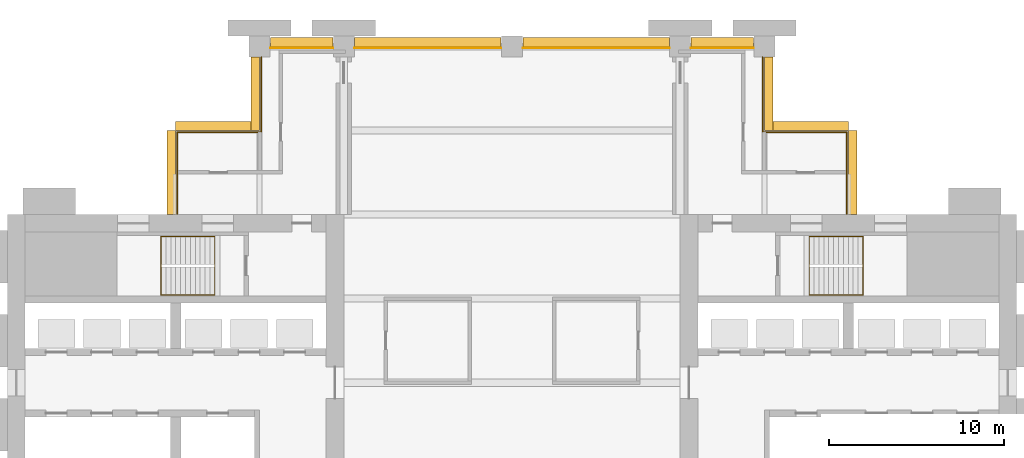
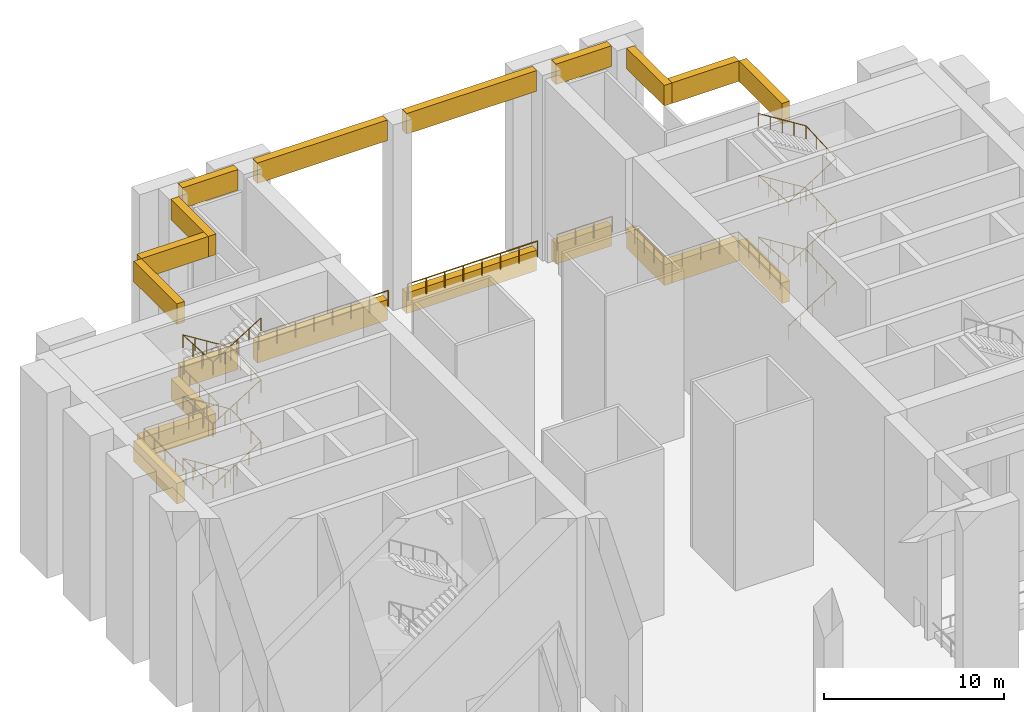
# One storey, part 8 of 9: 20 coverings, 8 railings.
"""IFC4 building model written with IfcOpenShell, lengths in metres."""

from ifc_helpers import new_model, si_unit, direction, frame, origin, origin_2d, place, context, subcontext, project, spatial, polyline, circle, outline, extrude, material, type_object, element, save


model = new_model("IFC4")

# Units and contexts
model_context = context("Model", 3, precision=1e-05, world=origin(), true_north=direction((0.0, 1.0)))
body_context = subcontext(model_context, "Body", "Model", "MODEL_VIEW")
ifc_project = project(units=[si_unit("LENGTHUNIT", "METRE"), si_unit("AREAUNIT", "SQUARE_METRE"), si_unit("VOLUMEUNIT", "CUBIC_METRE"), si_unit("PLANEANGLEUNIT", "RADIAN"), si_unit("MASSUNIT", "GRAM", prefix="KILO")], contexts=[model_context])

# Site, building, storey
site_placement = place(None, origin())
site = spatial("IfcSite", under=ifc_project, at=site_placement, CompositionType="ELEMENT")
building_placement = place(site_placement, origin())
building = spatial("IfcBuilding", under=site, at=building_placement, Name="Baori Bourse Tower", CompositionType="ELEMENT")
storey_placement = place(building_placement, frame((0.0, 0.0, 180.60009765625)))
storey = spatial("IfcBuildingStorey", under=building, at=storey_placement, Name="L40", CompositionType="ELEMENT", Elevation=180.60009765625)

# Railings
ifc_material_1 = material(Name="Powder-coated steel balustrade", Category="steel")
railing_type_1 = type_object("IfcRailingType", Name="Core stair handrail", PredefinedType="HANDRAIL", material=ifc_material_1)
railing_1_placement = place(storey_placement, frame((11.85009765625, 37.14990234375, 0.1748046875)))
element("IfcRailing", 1, at=railing_1_placement, inside=storey, type_object=railing_type_1, Name="L40 ST2 stair handrail 1", PredefinedType="HANDRAIL", context=body_context, shape_type="SweptSolid", body=[
    extrude(circle(Radius=0.02392578125, at=origin_2d()), frame((0.0, 0.0, 0.8759765625), z_axis=(-0.847998304005, 0.0, 0.529998940003), x_axis=(0.0, -1.0, 0.0)), (0.0, 0.0, 1.0), 3.632080078125),
    extrude(circle(Radius=0.02392578125, at=origin_2d()), frame((-3.080078125, 0.0, 2.80078125), z_axis=(0.0, -0.99863746249, 0.052184466191), x_axis=(1.0, 0.0, 0.0)), (0.0, 0.0, 1.0), 3.3544921875),
    extrude(circle(Radius=0.02392578125, at=origin_2d()), frame((-3.080078125, -3.349853515625, 2.97607421875), z_axis=(0.847998304005, 0.0, 0.529998940003), x_axis=(0.0, 1.0, 0.0)), (0.0, 0.0, 1.0), 3.632080078125),
    extrude(circle(Radius=0.02392578125, at=origin_2d()), frame((0.0, -3.349853515625, 4.90087890625), z_axis=(0.0, 0.99863746249, 0.052184466191), x_axis=(-1.0, 0.0, 0.0)), (0.0, 0.0, 1.0), 3.3544921875),
    extrude(circle(Radius=0.02392578125, at=origin_2d()), frame((0.0, 0.0, 5.076171875), z_axis=(-0.848028513186, 0.0, 0.529950602248), x_axis=(0.0, -1.0, 0.0)), (0.0, 0.0, 1.0), 3.632080078125),
    extrude(circle(Radius=0.02392578125, at=origin_2d()), frame((-3.080078125, 0.0, 7.0009765625), z_axis=(0.0, -0.99863746249, 0.052184466191), x_axis=(1.0, 0.0, 0.0)), (0.0, 0.0, 1.0), 3.3544921875),
    extrude(circle(Radius=0.02392578125, at=origin_2d()), frame((-3.080078125, -3.349853515625, 7.17578125), z_axis=(0.847998304005, 0.0, 0.529998940003), x_axis=(0.0, 1.0, 0.0)), (0.0, 0.0, 1.0), 3.632080078125),
    extrude(circle(Radius=0.02392578125, at=origin_2d()), frame((0.0, -3.349853515625, 9.10107421875), z_axis=(0.0, 0.99863746249, 0.052184466191), x_axis=(-1.0, 0.0, 0.0)), (0.0, 0.0, 1.0), 3.3544921875),
    extrude(circle(Radius=0.02392578125, at=origin_2d()), frame((0.0, 0.0, 9.27587890625), z_axis=(-0.847998304005, 0.0, 0.529998940003), x_axis=(0.0, -1.0, 0.0)), (0.0, 0.0, 1.0), 3.632080078125),
    extrude(circle(Radius=0.02392578125, at=origin_2d()), frame((-3.080078125, 0.0, 11.201171875), z_axis=(0.0, -0.998641252765, 0.052111882296), x_axis=(1.0, 0.0, 0.0)), (0.0, 0.0, 1.0), 3.3544921875),
    extrude(circle(Radius=0.02392578125, at=origin_2d()), frame((-3.080078125, -3.349853515625, 11.3759765625), z_axis=(0.847998304005, 0.0, 0.529998940003), x_axis=(0.0, 1.0, 0.0)), (0.0, 0.0, 1.0), 3.632080078125),
    extrude(circle(Radius=0.02099609375, at=origin_2d()), origin(), (0.0, 0.0, 1.0), 0.851806640625),
    extrude(circle(Radius=0.02099609375, at=origin_2d()), frame((-0.77001953125, 0.0, 0.481201171875)), (0.0, 0.0, 1.0), 0.851806640625),
    extrude(circle(Radius=0.02099609375, at=origin_2d()), frame((-1.5400390625, 0.0, 0.96240234375)), (0.0, 0.0, 1.0), 0.851806640625),
    extrude(circle(Radius=0.02099609375, at=origin_2d()), frame((-2.31005859375, 0.0, 1.44384765625)), (0.0, 0.0, 1.0), 0.851806640625),
    extrude(circle(Radius=0.02099609375, at=origin_2d()), frame((-3.080078125, 0.0, 1.925048828125)), (0.0, 0.0, 1.0), 0.851806640625),
    extrude(circle(Radius=0.02099609375, at=origin_2d()), frame((-3.080078125, -1.11669921875, 1.9833984375)), (0.0, 0.0, 1.0), 0.851806640625),
    extrude(circle(Radius=0.02099609375, at=origin_2d()), frame((-3.080078125, -2.233154296875, 2.041748046875)), (0.0, 0.0, 1.0), 0.851806640625),
    extrude(circle(Radius=0.02099609375, at=origin_2d()), frame((-3.080078125, -3.349853515625, 2.10009765625)), (0.0, 0.0, 1.0), 0.851806640625),
    extrude(circle(Radius=0.02099609375, at=origin_2d()), frame((-2.31005859375, -3.349853515625, 2.581298828125)), (0.0, 0.0, 1.0), 0.851806640625),
    extrude(circle(Radius=0.02099609375, at=origin_2d()), frame((-1.5400390625, -3.349853515625, 3.0625)), (0.0, 0.0, 1.0), 0.851806640625),
    extrude(circle(Radius=0.02099609375, at=origin_2d()), frame((-0.77001953125, -3.349853515625, 3.5439453125)), (0.0, 0.0, 1.0), 0.851806640625),
    extrude(circle(Radius=0.02099609375, at=origin_2d()), frame((0.0, -3.349853515625, 4.025146484375)), (0.0, 0.0, 1.0), 0.851806640625),
    extrude(circle(Radius=0.02099609375, at=origin_2d()), frame((0.0, -2.233154296875, 4.08349609375)), (0.0, 0.0, 1.0), 0.851806640625),
    extrude(circle(Radius=0.02099609375, at=origin_2d()), frame((0.0, -1.11669921875, 4.141845703125)), (0.0, 0.0, 1.0), 0.851806640625),
    extrude(circle(Radius=0.02099609375, at=origin_2d()), frame((0.0, 0.0, 4.2001953125)), (0.0, 0.0, 1.0), 0.851806640625),
    extrude(circle(Radius=0.02099609375, at=origin_2d()), frame((-0.77001953125, 0.0, 4.681396484375)), (0.0, 0.0, 1.0), 0.851806640625),
    extrude(circle(Radius=0.02099609375, at=origin_2d()), frame((-1.5400390625, 0.0, 5.16259765625)), (0.0, 0.0, 1.0), 0.851806640625),
    extrude(circle(Radius=0.02099609375, at=origin_2d()), frame((-2.31005859375, 0.0, 5.643798828125)), (0.0, 0.0, 1.0), 0.851806640625),
    extrude(circle(Radius=0.02099609375, at=origin_2d()), frame((-3.080078125, 0.0, 6.125)), (0.0, 0.0, 1.0), 0.851806640625),
    extrude(circle(Radius=0.02099609375, at=origin_2d()), frame((-3.080078125, -1.11669921875, 6.183349609375)), (0.0, 0.0, 1.0), 0.851806640625),
    extrude(circle(Radius=0.02099609375, at=origin_2d()), frame((-3.080078125, -2.233154296875, 6.24169921875)), (0.0, 0.0, 1.0), 0.851806640625),
    extrude(circle(Radius=0.02099609375, at=origin_2d()), frame((-3.080078125, -3.349853515625, 6.300048828125)), (0.0, 0.0, 1.0), 0.851806640625),
    extrude(circle(Radius=0.02099609375, at=origin_2d()), frame((-2.31005859375, -3.349853515625, 6.78125)), (0.0, 0.0, 1.0), 0.851806640625),
    extrude(circle(Radius=0.02099609375, at=origin_2d()), frame((-1.5400390625, -3.349853515625, 7.2626953125)), (0.0, 0.0, 1.0), 0.851806640625),
    extrude(circle(Radius=0.02099609375, at=origin_2d()), frame((-0.77001953125, -3.349853515625, 7.743896484375)), (0.0, 0.0, 1.0), 0.851806640625),
    extrude(circle(Radius=0.02099609375, at=origin_2d()), frame((0.0, -3.349853515625, 8.22509765625)), (0.0, 0.0, 1.0), 0.851806640625),
    extrude(circle(Radius=0.02099609375, at=origin_2d()), frame((0.0, -2.233154296875, 8.283447265625)), (0.0, 0.0, 1.0), 0.851806640625),
    extrude(circle(Radius=0.02099609375, at=origin_2d()), frame((0.0, -1.11669921875, 8.341796875)), (0.0, 0.0, 1.0), 0.851806640625),
    extrude(circle(Radius=0.02099609375, at=origin_2d()), frame((0.0, 0.0, 8.400146484375)), (0.0, 0.0, 1.0), 0.851806640625),
    extrude(circle(Radius=0.02099609375, at=origin_2d()), frame((-0.77001953125, 0.0, 8.88134765625)), (0.0, 0.0, 1.0), 0.851806640625),
    extrude(circle(Radius=0.02099609375, at=origin_2d()), frame((-1.5400390625, 0.0, 9.36279296875)), (0.0, 0.0, 1.0), 0.851806640625),
    extrude(circle(Radius=0.02099609375, at=origin_2d()), frame((-2.31005859375, 0.0, 9.843994140625)), (0.0, 0.0, 1.0), 0.851806640625),
    extrude(circle(Radius=0.02099609375, at=origin_2d()), frame((-3.080078125, 0.0, 10.3251953125)), (0.0, 0.0, 1.0), 0.851806640625),
    extrude(circle(Radius=0.02099609375, at=origin_2d()), frame((-3.080078125, -1.11669921875, 10.383544921875)), (0.0, 0.0, 1.0), 0.851806640625),
    extrude(circle(Radius=0.02099609375, at=origin_2d()), frame((-3.080078125, -2.233154296875, 10.441650390625)), (0.0, 0.0, 1.0), 0.851806640625),
    extrude(circle(Radius=0.02099609375, at=origin_2d()), frame((-3.080078125, -3.349853515625, 10.5)), (0.0, 0.0, 1.0), 0.851806640625),
    extrude(circle(Radius=0.02099609375, at=origin_2d()), frame((-2.31005859375, -3.349853515625, 10.981201171875)), (0.0, 0.0, 1.0), 0.851806640625),
    extrude(circle(Radius=0.02099609375, at=origin_2d()), frame((-1.5400390625, -3.349853515625, 11.46240234375)), (0.0, 0.0, 1.0), 0.851806640625),
    extrude(circle(Radius=0.02099609375, at=origin_2d()), frame((-0.77001953125, -3.349853515625, 11.94384765625)), (0.0, 0.0, 1.0), 0.851806640625),
    extrude(circle(Radius=0.02099609375, at=origin_2d()), frame((0.0, -3.349853515625, 12.425048828125)), (0.0, 0.0, 1.0), 0.851806640625),
])
railing_2_placement = place(storey_placement, frame((45.75, 33.800048828125, 0.1748046875)))
element("IfcRailing", 2, at=railing_2_placement, inside=storey, type_object=railing_type_1, Name="L40 ST4 stair handrail 1", PredefinedType="HANDRAIL", context=body_context, shape_type="SweptSolid", body=[
    extrude(circle(Radius=0.02392578125, at=origin_2d()), frame((0.0, 0.0, 0.8759765625), z_axis=(0.847998304005, 0.0, 0.529998940003), x_axis=(0.0, 1.0, 0.0)), (0.0, 0.0, 1.0), 3.632080078125),
    extrude(circle(Radius=0.02392578125, at=origin_2d()), frame((3.080078125, 0.0, 2.80078125), z_axis=(0.0, 0.99863746249, 0.052184466191), x_axis=(-1.0, 0.0, 0.0)), (0.0, 0.0, 1.0), 3.3544921875),
    extrude(circle(Radius=0.02392578125, at=origin_2d()), frame((3.080078125, 3.349853515625, 2.97607421875), z_axis=(-0.847998304005, 0.0, 0.529998940003), x_axis=(0.0, -1.0, 0.0)), (0.0, 0.0, 1.0), 3.632080078125),
    extrude(circle(Radius=0.02392578125, at=origin_2d()), frame((0.0, 3.349853515625, 4.90087890625), z_axis=(0.0, -0.99863746249, 0.052184466191), x_axis=(1.0, 0.0, 0.0)), (0.0, 0.0, 1.0), 3.3544921875),
    extrude(circle(Radius=0.02392578125, at=origin_2d()), frame((0.0, 0.0, 5.076171875), z_axis=(0.848028513186, 0.0, 0.529950602248), x_axis=(0.0, 1.0, 0.0)), (0.0, 0.0, 1.0), 3.632080078125),
    extrude(circle(Radius=0.02392578125, at=origin_2d()), frame((3.080078125, 0.0, 7.0009765625), z_axis=(0.0, 0.99863746249, 0.052184466191), x_axis=(-1.0, 0.0, 0.0)), (0.0, 0.0, 1.0), 3.3544921875),
    extrude(circle(Radius=0.02392578125, at=origin_2d()), frame((3.080078125, 3.349853515625, 7.17578125), z_axis=(-0.847998304005, 0.0, 0.529998940003), x_axis=(0.0, -1.0, 0.0)), (0.0, 0.0, 1.0), 3.632080078125),
    extrude(circle(Radius=0.02392578125, at=origin_2d()), frame((0.0, 3.349853515625, 9.10107421875), z_axis=(0.0, -0.99863746249, 0.052184466191), x_axis=(1.0, 0.0, 0.0)), (0.0, 0.0, 1.0), 3.3544921875),
    extrude(circle(Radius=0.02392578125, at=origin_2d()), frame((0.0, 0.0, 9.27587890625), z_axis=(0.847998304005, 0.0, 0.529998940003), x_axis=(0.0, 1.0, 0.0)), (0.0, 0.0, 1.0), 3.632080078125),
    extrude(circle(Radius=0.02392578125, at=origin_2d()), frame((3.080078125, 0.0, 11.201171875), z_axis=(0.0, 0.998641252765, 0.052111882296), x_axis=(-1.0, 0.0, 0.0)), (0.0, 0.0, 1.0), 3.3544921875),
    extrude(circle(Radius=0.02392578125, at=origin_2d()), frame((3.080078125, 3.349853515625, 11.3759765625), z_axis=(-0.847998304005, 0.0, 0.529998940003), x_axis=(0.0, -1.0, 0.0)), (0.0, 0.0, 1.0), 3.632080078125),
    extrude(circle(Radius=0.02099609375, at=origin_2d()), origin(), (0.0, 0.0, 1.0), 0.851806640625),
    extrude(circle(Radius=0.02099609375, at=origin_2d()), frame((0.77001953125, 0.0, 0.481201171875)), (0.0, 0.0, 1.0), 0.851806640625),
    extrude(circle(Radius=0.02099609375, at=origin_2d()), frame((1.5400390625, 0.0, 0.96240234375)), (0.0, 0.0, 1.0), 0.851806640625),
    extrude(circle(Radius=0.02099609375, at=origin_2d()), frame((2.31005859375, 0.0, 1.44384765625)), (0.0, 0.0, 1.0), 0.851806640625),
    extrude(circle(Radius=0.02099609375, at=origin_2d()), frame((3.080078125, 0.0, 1.925048828125)), (0.0, 0.0, 1.0), 0.851806640625),
    extrude(circle(Radius=0.02099609375, at=origin_2d()), frame((3.080078125, 1.11669921875, 1.9833984375)), (0.0, 0.0, 1.0), 0.851806640625),
    extrude(circle(Radius=0.02099609375, at=origin_2d()), frame((3.080078125, 2.233154296875, 2.041748046875)), (0.0, 0.0, 1.0), 0.851806640625),
    extrude(circle(Radius=0.02099609375, at=origin_2d()), frame((3.080078125, 3.349853515625, 2.10009765625)), (0.0, 0.0, 1.0), 0.851806640625),
    extrude(circle(Radius=0.02099609375, at=origin_2d()), frame((2.31005859375, 3.349853515625, 2.581298828125)), (0.0, 0.0, 1.0), 0.851806640625),
    extrude(circle(Radius=0.02099609375, at=origin_2d()), frame((1.5400390625, 3.349853515625, 3.0625)), (0.0, 0.0, 1.0), 0.851806640625),
    extrude(circle(Radius=0.02099609375, at=origin_2d()), frame((0.77001953125, 3.349853515625, 3.5439453125)), (0.0, 0.0, 1.0), 0.851806640625),
    extrude(circle(Radius=0.02099609375, at=origin_2d()), frame((0.0, 3.349853515625, 4.025146484375)), (0.0, 0.0, 1.0), 0.851806640625),
    extrude(circle(Radius=0.02099609375, at=origin_2d()), frame((0.0, 2.233154296875, 4.08349609375)), (0.0, 0.0, 1.0), 0.851806640625),
    extrude(circle(Radius=0.02099609375, at=origin_2d()), frame((0.0, 1.11669921875, 4.141845703125)), (0.0, 0.0, 1.0), 0.851806640625),
    extrude(circle(Radius=0.02099609375, at=origin_2d()), frame((0.0, 0.0, 4.2001953125)), (0.0, 0.0, 1.0), 0.851806640625),
    extrude(circle(Radius=0.02099609375, at=origin_2d()), frame((0.77001953125, 0.0, 4.681396484375)), (0.0, 0.0, 1.0), 0.851806640625),
    extrude(circle(Radius=0.02099609375, at=origin_2d()), frame((1.5400390625, 0.0, 5.16259765625)), (0.0, 0.0, 1.0), 0.851806640625),
    extrude(circle(Radius=0.02099609375, at=origin_2d()), frame((2.31005859375, 0.0, 5.643798828125)), (0.0, 0.0, 1.0), 0.851806640625),
    extrude(circle(Radius=0.02099609375, at=origin_2d()), frame((3.080078125, 0.0, 6.125)), (0.0, 0.0, 1.0), 0.851806640625),
    extrude(circle(Radius=0.02099609375, at=origin_2d()), frame((3.080078125, 1.11669921875, 6.183349609375)), (0.0, 0.0, 1.0), 0.851806640625),
    extrude(circle(Radius=0.02099609375, at=origin_2d()), frame((3.080078125, 2.233154296875, 6.24169921875)), (0.0, 0.0, 1.0), 0.851806640625),
    extrude(circle(Radius=0.02099609375, at=origin_2d()), frame((3.080078125, 3.349853515625, 6.300048828125)), (0.0, 0.0, 1.0), 0.851806640625),
    extrude(circle(Radius=0.02099609375, at=origin_2d()), frame((2.31005859375, 3.349853515625, 6.78125)), (0.0, 0.0, 1.0), 0.851806640625),
    extrude(circle(Radius=0.02099609375, at=origin_2d()), frame((1.5400390625, 3.349853515625, 7.2626953125)), (0.0, 0.0, 1.0), 0.851806640625),
    extrude(circle(Radius=0.02099609375, at=origin_2d()), frame((0.77001953125, 3.349853515625, 7.743896484375)), (0.0, 0.0, 1.0), 0.851806640625),
    extrude(circle(Radius=0.02099609375, at=origin_2d()), frame((0.0, 3.349853515625, 8.22509765625)), (0.0, 0.0, 1.0), 0.851806640625),
    extrude(circle(Radius=0.02099609375, at=origin_2d()), frame((0.0, 2.233154296875, 8.283447265625)), (0.0, 0.0, 1.0), 0.851806640625),
    extrude(circle(Radius=0.02099609375, at=origin_2d()), frame((0.0, 1.11669921875, 8.341796875)), (0.0, 0.0, 1.0), 0.851806640625),
    extrude(circle(Radius=0.02099609375, at=origin_2d()), frame((0.0, 0.0, 8.400146484375)), (0.0, 0.0, 1.0), 0.851806640625),
    extrude(circle(Radius=0.02099609375, at=origin_2d()), frame((0.77001953125, 0.0, 8.88134765625)), (0.0, 0.0, 1.0), 0.851806640625),
    extrude(circle(Radius=0.02099609375, at=origin_2d()), frame((1.5400390625, 0.0, 9.36279296875)), (0.0, 0.0, 1.0), 0.851806640625),
    extrude(circle(Radius=0.02099609375, at=origin_2d()), frame((2.31005859375, 0.0, 9.843994140625)), (0.0, 0.0, 1.0), 0.851806640625),
    extrude(circle(Radius=0.02099609375, at=origin_2d()), frame((3.080078125, 0.0, 10.3251953125)), (0.0, 0.0, 1.0), 0.851806640625),
    extrude(circle(Radius=0.02099609375, at=origin_2d()), frame((3.080078125, 1.11669921875, 10.383544921875)), (0.0, 0.0, 1.0), 0.851806640625),
    extrude(circle(Radius=0.02099609375, at=origin_2d()), frame((3.080078125, 2.233154296875, 10.441650390625)), (0.0, 0.0, 1.0), 0.851806640625),
    extrude(circle(Radius=0.02099609375, at=origin_2d()), frame((3.080078125, 3.349853515625, 10.5)), (0.0, 0.0, 1.0), 0.851806640625),
    extrude(circle(Radius=0.02099609375, at=origin_2d()), frame((2.31005859375, 3.349853515625, 10.981201171875)), (0.0, 0.0, 1.0), 0.851806640625),
    extrude(circle(Radius=0.02099609375, at=origin_2d()), frame((1.5400390625, 3.349853515625, 11.46240234375)), (0.0, 0.0, 1.0), 0.851806640625),
    extrude(circle(Radius=0.02099609375, at=origin_2d()), frame((0.77001953125, 3.349853515625, 11.94384765625)), (0.0, 0.0, 1.0), 0.851806640625),
    extrude(circle(Radius=0.02099609375, at=origin_2d()), frame((0.0, 3.349853515625, 12.425048828125)), (0.0, 0.0, 1.0), 0.851806640625),
])

# Coverings
ifc_material_2 = material(Name="Pale anodised aluminium", Category="aluminium")
covering_type = type_object("IfcCoveringType", Name="ED2 Portal fascia band", PredefinedType="CLADDING", material=ifc_material_2)
for number, where, name in (
    (3, (0.0, 0.0, -1.0), "Portal fascia band deck L40 1"),
    (4, (0.0, 0.0, 11.199951171875), "Portal fascia band head L40 2"),
):
    element("IfcCovering", number, at=place(storey_placement, frame(where)), inside=storey, type_object=covering_type, Name=name, PredefinedType="CLADDING", context=body_context, shape_type="SweptSolid", body=[
        extrude(outline(polyline([(48.0, 43.199951171875), (48.0, 38.39990234375), (48.5, 38.39990234375), (48.5, 43.199951171875), (48.0, 43.199951171875)])), origin(), (0.0, 0.0, 1.0), 1.39990234375),
    ])
for number, where, name in (
    (5, (0.0, 0.0, -1.0), "Portal fascia band deck L40 3"),
    (6, (0.0, 0.0, 11.199951171875), "Portal fascia band head L40 4"),
):
    element("IfcCovering", number, at=place(storey_placement, frame(where)), inside=storey, type_object=covering_type, Name=name, PredefinedType="CLADDING", context=body_context, shape_type="SweptSolid", body=[
        extrude(outline(polyline([(43.199951171875, 43.199951171875), (48.0, 43.199951171875), (48.0, 43.699951171875), (43.199951171875, 43.699951171875), (43.199951171875, 43.199951171875)])), origin(), (0.0, 0.0, 1.0), 1.39990234375),
    ])
for number, where, name in (
    (7, (0.0, 0.0, -1.0), "Portal fascia band deck L40 5"),
    (8, (0.0, 0.0, 11.199951171875), "Portal fascia band head L40 6"),
):
    element("IfcCovering", number, at=place(storey_placement, frame(where)), inside=storey, type_object=covering_type, Name=name, PredefinedType="CLADDING", context=body_context, shape_type="SweptSolid", body=[
        extrude(outline(polyline([(43.199951171875, 47.3798828125), (43.199951171875, 43.199951171875), (43.699951171875, 43.199951171875), (43.699951171875, 47.3798828125), (43.199951171875, 47.3798828125)])), origin(), (0.0, 0.0, 1.0), 1.39990234375),
    ])
for number, where, name in (
    (9, (0.0, 0.0, -1.0), "Portal fascia band deck L40 7"),
    (10, (0.0, 0.0, 11.199951171875), "Portal fascia band head L40 8"),
):
    element("IfcCovering", number, at=place(storey_placement, frame(where)), inside=storey, type_object=covering_type, Name=name, PredefinedType="CLADDING", context=body_context, shape_type="SweptSolid", body=[
        extrude(outline(polyline([(39.02001953125, 48.0), (42.580078125, 48.0), (42.580078125, 48.5), (39.02001953125, 48.5), (39.02001953125, 48.0)])), origin(), (0.0, 0.0, 1.0), 1.39990234375),
    ])
for number, where, name in (
    (11, (0.0, 0.0, -1.0), "Portal fascia band deck L40 9"),
    (12, (0.0, 0.0, 11.199951171875), "Portal fascia band head L40 10"),
):
    element("IfcCovering", number, at=place(storey_placement, frame(where)), inside=storey, type_object=covering_type, Name=name, PredefinedType="CLADDING", context=body_context, shape_type="SweptSolid", body=[
        extrude(outline(polyline([(29.419921875, 48.0), (37.780029296875, 48.0), (37.780029296875, 48.5), (29.419921875, 48.5), (29.419921875, 48.0)])), origin(), (0.0, 0.0, 1.0), 1.39990234375),
    ])
for number, where, name in (
    (13, (0.0, 0.0, -1.0), "Portal fascia band deck L40 11"),
    (14, (0.0, 0.0, 11.199951171875), "Portal fascia band head L40 12"),
):
    element("IfcCovering", number, at=place(storey_placement, frame(where)), inside=storey, type_object=covering_type, Name=name, PredefinedType="CLADDING", context=body_context, shape_type="SweptSolid", body=[
        extrude(outline(polyline([(19.820068359375, 48.0), (28.179931640625, 48.0), (28.179931640625, 48.5), (19.820068359375, 48.5), (19.820068359375, 48.0)])), origin(), (0.0, 0.0, 1.0), 1.39990234375),
    ])
for number, where, name in (
    (15, (0.0, 0.0, -1.0), "Portal fascia band deck L40 13"),
    (16, (0.0, 0.0, 11.199951171875), "Portal fascia band head L40 14"),
):
    element("IfcCovering", number, at=place(storey_placement, frame(where)), inside=storey, type_object=covering_type, Name=name, PredefinedType="CLADDING", context=body_context, shape_type="SweptSolid", body=[
        extrude(outline(polyline([(15.02001953125, 48.0), (18.580078125, 48.0), (18.580078125, 48.5), (15.02001953125, 48.5), (15.02001953125, 48.0)])), origin(), (0.0, 0.0, 1.0), 1.39990234375),
    ])
for number, where, name in (
    (17, (0.0, 0.0, -1.0), "Portal fascia band deck L40 15"),
    (18, (0.0, 0.0, 11.199951171875), "Portal fascia band head L40 16"),
):
    element("IfcCovering", number, at=place(storey_placement, frame(where)), inside=storey, type_object=covering_type, Name=name, PredefinedType="CLADDING", context=body_context, shape_type="SweptSolid", body=[
        extrude(outline(polyline([(14.39990234375, 43.199951171875), (14.39990234375, 47.3798828125), (13.89990234375, 47.3798828125), (13.89990234375, 43.199951171875), (14.39990234375, 43.199951171875)])), origin(), (0.0, 0.0, 1.0), 1.39990234375),
    ])
for number, where, name in (
    (19, (0.0, 0.0, -1.0), "Portal fascia band deck L40 17"),
    (20, (0.0, 0.0, 11.199951171875), "Portal fascia band head L40 18"),
):
    element("IfcCovering", number, at=place(storey_placement, frame(where)), inside=storey, type_object=covering_type, Name=name, PredefinedType="CLADDING", context=body_context, shape_type="SweptSolid", body=[
        extrude(outline(polyline([(9.60009765625, 43.199951171875), (14.39990234375, 43.199951171875), (14.39990234375, 43.699951171875), (9.60009765625, 43.699951171875), (9.60009765625, 43.199951171875)])), origin(), (0.0, 0.0, 1.0), 1.39990234375),
    ])
for number, where, name in (
    (21, (0.0, 0.0, -1.0), "Portal fascia band deck L40 19"),
    (22, (0.0, 0.0, 11.199951171875), "Portal fascia band head L40 20"),
):
    element("IfcCovering", number, at=place(storey_placement, frame(where)), inside=storey, type_object=covering_type, Name=name, PredefinedType="CLADDING", context=body_context, shape_type="SweptSolid", body=[
        extrude(outline(polyline([(9.60009765625, 38.39990234375), (9.60009765625, 43.199951171875), (9.10009765625, 43.199951171875), (9.10009765625, 38.39990234375), (9.60009765625, 38.39990234375)])), origin(), (0.0, 0.0, 1.0), 1.39990234375),
    ])

# Railings
ifc_material_3 = material(Name="Stainless steel", Category="steel")
railing_type_2 = type_object("IfcRailingType", Name="GD1 Guard", PredefinedType="GUARDRAIL", material=ifc_material_3)
railing_3_placement = place(storey_placement, frame((47.89990234375, 38.429931640625, 0.0)))
element("IfcRailing", 23, at=railing_3_placement, inside=storey, type_object=railing_type_2, Name="Guard sky deck L40 1", PredefinedType="GUARDRAIL", context=body_context, shape_type="SweptSolid", body=[
    extrude(circle(Radius=0.02392578125, at=origin_2d()), frame((0.0, 0.0, 1.076171875), z_axis=(0.0, 1.0, 0.0), x_axis=(-1.0, 0.0, 0.0)), (0.0, 0.0, 1.0), 4.670166015625),
    extrude(circle(Radius=0.02392578125, at=origin_2d()), frame((0.0, 4.670166015625, 1.076171875), z_axis=(-1.0, 0.0, 0.0), x_axis=(0.0, -1.0, 0.0)), (0.0, 0.0, 1.0), 4.7998046875),
    extrude(circle(Radius=0.02392578125, at=origin_2d()), frame((-4.7998046875, 4.670166015625, 1.076171875), z_axis=(0.0, 1.0, 0.0), x_axis=(-1.0, 0.0, 0.0)), (0.0, 0.0, 1.0), 4.27001953125),
    extrude(circle(Radius=0.02099609375, at=origin_2d()), origin(), (0.0, 0.0, 1.0), 1.052001953125),
    extrude(circle(Radius=0.02099609375, at=origin_2d()), frame((0.0, 1.16748046875, 0.0)), (0.0, 0.0, 1.0), 1.052001953125),
    extrude(circle(Radius=0.02099609375, at=origin_2d()), frame((0.0, 2.3349609375, 0.0)), (0.0, 0.0, 1.0), 1.052001953125),
    extrude(circle(Radius=0.02099609375, at=origin_2d()), frame((0.0, 3.502685546875, 0.0)), (0.0, 0.0, 1.0), 1.052001953125),
    extrude(circle(Radius=0.02099609375, at=origin_2d()), frame((0.0, 4.670166015625, 0.0)), (0.0, 0.0, 1.0), 1.052001953125),
    extrude(circle(Radius=0.02099609375, at=origin_2d()), frame((-1.199951171875, 4.670166015625, 0.0)), (0.0, 0.0, 1.0), 1.052001953125),
    extrude(circle(Radius=0.02099609375, at=origin_2d()), frame((-2.39990234375, 4.670166015625, 0.0)), (0.0, 0.0, 1.0), 1.052001953125),
    extrude(circle(Radius=0.02099609375, at=origin_2d()), frame((-3.599853515625, 4.670166015625, 0.0)), (0.0, 0.0, 1.0), 1.052001953125),
    extrude(circle(Radius=0.02099609375, at=origin_2d()), frame((-4.7998046875, 4.670166015625, 0.0)), (0.0, 0.0, 1.0), 1.052001953125),
    extrude(circle(Radius=0.02099609375, at=origin_2d()), frame((-4.7998046875, 5.73779296875, 0.0)), (0.0, 0.0, 1.0), 1.052001953125),
    extrude(circle(Radius=0.02099609375, at=origin_2d()), frame((-4.7998046875, 6.80517578125, 0.0)), (0.0, 0.0, 1.0), 1.052001953125),
    extrude(circle(Radius=0.02099609375, at=origin_2d()), frame((-4.7998046875, 7.87255859375, 0.0)), (0.0, 0.0, 1.0), 1.052001953125),
    extrude(circle(Radius=0.02099609375, at=origin_2d()), frame((-4.7998046875, 8.940185546875, 0.0)), (0.0, 0.0, 1.0), 1.052001953125),
])
railing_4_placement = place(storey_placement, frame((42.570068359375, 47.89990234375, 0.0)))
element("IfcRailing", 24, at=railing_4_placement, inside=storey, type_object=railing_type_2, Name="Guard sky deck L40 2", PredefinedType="GUARDRAIL", context=body_context, shape_type="SweptSolid", body=[
    extrude(circle(Radius=0.02392578125, at=origin_2d()), frame((0.0, 0.0, 1.076171875), z_axis=(-1.0, 0.0, 0.0), x_axis=(0.0, -1.0, 0.0)), (0.0, 0.0, 1.0), 3.5400390625),
    extrude(circle(Radius=0.02099609375, at=origin_2d()), origin(), (0.0, 0.0, 1.0), 1.052001953125),
    extrude(circle(Radius=0.02099609375, at=origin_2d()), frame((-1.179931640625, 0.0, 0.0)), (0.0, 0.0, 1.0), 1.052001953125),
    extrude(circle(Radius=0.02099609375, at=origin_2d()), frame((-2.360107421875, 0.0, 0.0)), (0.0, 0.0, 1.0), 1.052001953125),
    extrude(circle(Radius=0.02099609375, at=origin_2d()), frame((-3.5400390625, 0.0, 0.0)), (0.0, 0.0, 1.0), 1.052001953125),
])
railing_5_placement = place(storey_placement, frame((37.77001953125, 47.89990234375, 0.0)))
element("IfcRailing", 25, at=railing_5_placement, inside=storey, type_object=railing_type_2, Name="Guard sky deck L40 3", PredefinedType="GUARDRAIL", context=body_context, shape_type="SweptSolid", body=[
    extrude(circle(Radius=0.02392578125, at=origin_2d()), frame((0.0, 0.0, 1.076171875), z_axis=(-1.0, 0.0, 0.0), x_axis=(0.0, -1.0, 0.0)), (0.0, 0.0, 1.0), 8.340087890625),
    extrude(circle(Radius=0.02099609375, at=origin_2d()), origin(), (0.0, 0.0, 1.0), 1.052001953125),
    extrude(circle(Radius=0.02099609375, at=origin_2d()), frame((-1.19140625, 0.0, 0.0)), (0.0, 0.0, 1.0), 1.052001953125),
    extrude(circle(Radius=0.02099609375, at=origin_2d()), frame((-2.3828125, 0.0, 0.0)), (0.0, 0.0, 1.0), 1.052001953125),
    extrude(circle(Radius=0.02099609375, at=origin_2d()), frame((-3.57421875, 0.0, 0.0)), (0.0, 0.0, 1.0), 1.052001953125),
    extrude(circle(Radius=0.02099609375, at=origin_2d()), frame((-4.765869140625, 0.0, 0.0)), (0.0, 0.0, 1.0), 1.052001953125),
    extrude(circle(Radius=0.02099609375, at=origin_2d()), frame((-5.957275390625, 0.0, 0.0)), (0.0, 0.0, 1.0), 1.052001953125),
    extrude(circle(Radius=0.02099609375, at=origin_2d()), frame((-7.148681640625, 0.0, 0.0)), (0.0, 0.0, 1.0), 1.052001953125),
    extrude(circle(Radius=0.02099609375, at=origin_2d()), frame((-8.340087890625, 0.0, 0.0)), (0.0, 0.0, 1.0), 1.052001953125),
])
railing_6_placement = place(storey_placement, frame((28.169921875, 47.89990234375, 0.0)))
element("IfcRailing", 26, at=railing_6_placement, inside=storey, type_object=railing_type_2, Name="Guard sky deck L40 4", PredefinedType="GUARDRAIL", context=body_context, shape_type="SweptSolid", body=[
    extrude(circle(Radius=0.02392578125, at=origin_2d()), frame((0.0, 0.0, 1.076171875), z_axis=(-1.0, 0.0, 0.0), x_axis=(0.0, -1.0, 0.0)), (0.0, 0.0, 1.0), 8.33984375),
    extrude(circle(Radius=0.02099609375, at=origin_2d()), origin(), (0.0, 0.0, 1.0), 1.052001953125),
    extrude(circle(Radius=0.02099609375, at=origin_2d()), frame((-1.19140625, 0.0, 0.0)), (0.0, 0.0, 1.0), 1.052001953125),
    extrude(circle(Radius=0.02099609375, at=origin_2d()), frame((-2.3828125, 0.0, 0.0)), (0.0, 0.0, 1.0), 1.052001953125),
    extrude(circle(Radius=0.02099609375, at=origin_2d()), frame((-3.57421875, 0.0, 0.0)), (0.0, 0.0, 1.0), 1.052001953125),
    extrude(circle(Radius=0.02099609375, at=origin_2d()), frame((-4.765625, 0.0, 0.0)), (0.0, 0.0, 1.0), 1.052001953125),
    extrude(circle(Radius=0.02099609375, at=origin_2d()), frame((-5.95703125, 0.0, 0.0)), (0.0, 0.0, 1.0), 1.052001953125),
    extrude(circle(Radius=0.02099609375, at=origin_2d()), frame((-7.1484375, 0.0, 0.0)), (0.0, 0.0, 1.0), 1.052001953125),
    extrude(circle(Radius=0.02099609375, at=origin_2d()), frame((-8.33984375, 0.0, 0.0)), (0.0, 0.0, 1.0), 1.052001953125),
])
railing_7_placement = place(storey_placement, frame((18.570068359375, 47.89990234375, 0.0)))
element("IfcRailing", 27, at=railing_7_placement, inside=storey, type_object=railing_type_2, Name="Guard sky deck L40 5", PredefinedType="GUARDRAIL", context=body_context, shape_type="SweptSolid", body=[
    extrude(circle(Radius=0.02392578125, at=origin_2d()), frame((0.0, 0.0, 1.076171875), z_axis=(-1.0, 0.0, 0.0), x_axis=(0.0, -1.0, 0.0)), (0.0, 0.0, 1.0), 3.5400390625),
    extrude(circle(Radius=0.02099609375, at=origin_2d()), origin(), (0.0, 0.0, 1.0), 1.052001953125),
    extrude(circle(Radius=0.02099609375, at=origin_2d()), frame((-1.179931640625, 0.0, 0.0)), (0.0, 0.0, 1.0), 1.052001953125),
    extrude(circle(Radius=0.02099609375, at=origin_2d()), frame((-2.360107421875, 0.0, 0.0)), (0.0, 0.0, 1.0), 1.052001953125),
    extrude(circle(Radius=0.02099609375, at=origin_2d()), frame((-3.5400390625, 0.0, 0.0)), (0.0, 0.0, 1.0), 1.052001953125),
])
railing_8_placement = place(storey_placement, frame((14.5, 47.3701171875, 0.0)))
element("IfcRailing", 28, at=railing_8_placement, inside=storey, type_object=railing_type_2, Name="Guard sky deck L40 6", PredefinedType="GUARDRAIL", context=body_context, shape_type="SweptSolid", body=[
    extrude(circle(Radius=0.02392578125, at=origin_2d()), frame((0.0, 0.0, 1.076171875), z_axis=(0.0, -1.0, 0.0), x_axis=(1.0, 0.0, 0.0)), (0.0, 0.0, 1.0), 4.27001953125),
    extrude(circle(Radius=0.02392578125, at=origin_2d()), frame((0.0, -4.27001953125, 1.076171875), z_axis=(-1.0, 0.0, 0.0), x_axis=(0.0, -1.0, 0.0)), (0.0, 0.0, 1.0), 4.800048828125),
    extrude(circle(Radius=0.02392578125, at=origin_2d()), frame((-4.800048828125, -4.27001953125, 1.076171875), z_axis=(0.0, -1.0, 0.0), x_axis=(1.0, 0.0, 0.0)), (0.0, 0.0, 1.0), 4.670166015625),
    extrude(circle(Radius=0.02099609375, at=origin_2d()), origin(), (0.0, 0.0, 1.0), 1.052001953125),
    extrude(circle(Radius=0.02099609375, at=origin_2d()), frame((0.0, -1.0673828125, 0.0)), (0.0, 0.0, 1.0), 1.052001953125),
    extrude(circle(Radius=0.02099609375, at=origin_2d()), frame((0.0, -2.135009765625, 0.0)), (0.0, 0.0, 1.0), 1.052001953125),
    extrude(circle(Radius=0.02099609375, at=origin_2d()), frame((0.0, -3.20263671875, 0.0)), (0.0, 0.0, 1.0), 1.052001953125),
    extrude(circle(Radius=0.02099609375, at=origin_2d()), frame((0.0, -4.27001953125, 0.0)), (0.0, 0.0, 1.0), 1.052001953125),
    extrude(circle(Radius=0.02099609375, at=origin_2d()), frame((-0.9599609375, -4.27001953125, 0.0)), (0.0, 0.0, 1.0), 1.052001953125),
    extrude(circle(Radius=0.02099609375, at=origin_2d()), frame((-1.919921875, -4.27001953125, 0.0)), (0.0, 0.0, 1.0), 1.052001953125),
    extrude(circle(Radius=0.02099609375, at=origin_2d()), frame((-2.880126953125, -4.27001953125, 0.0)), (0.0, 0.0, 1.0), 1.052001953125),
    extrude(circle(Radius=0.02099609375, at=origin_2d()), frame((-3.840087890625, -4.27001953125, 0.0)), (0.0, 0.0, 1.0), 1.052001953125),
    extrude(circle(Radius=0.02099609375, at=origin_2d()), frame((-4.800048828125, -4.27001953125, 0.0)), (0.0, 0.0, 1.0), 1.052001953125),
    extrude(circle(Radius=0.02099609375, at=origin_2d()), frame((-4.800048828125, -5.4375, 0.0)), (0.0, 0.0, 1.0), 1.052001953125),
    extrude(circle(Radius=0.02099609375, at=origin_2d()), frame((-4.800048828125, -6.60498046875, 0.0)), (0.0, 0.0, 1.0), 1.052001953125),
    extrude(circle(Radius=0.02099609375, at=origin_2d()), frame((-4.800048828125, -7.772705078125, 0.0)), (0.0, 0.0, 1.0), 1.052001953125),
    extrude(circle(Radius=0.02099609375, at=origin_2d()), frame((-4.800048828125, -8.940185546875, 0.0)), (0.0, 0.0, 1.0), 1.052001953125),
])

save(model, "model.ifc")
